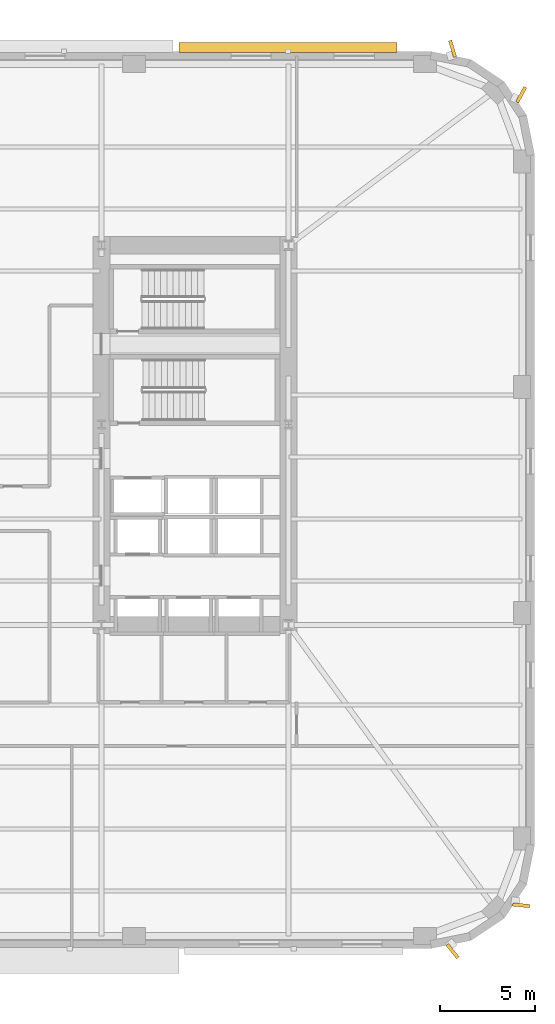
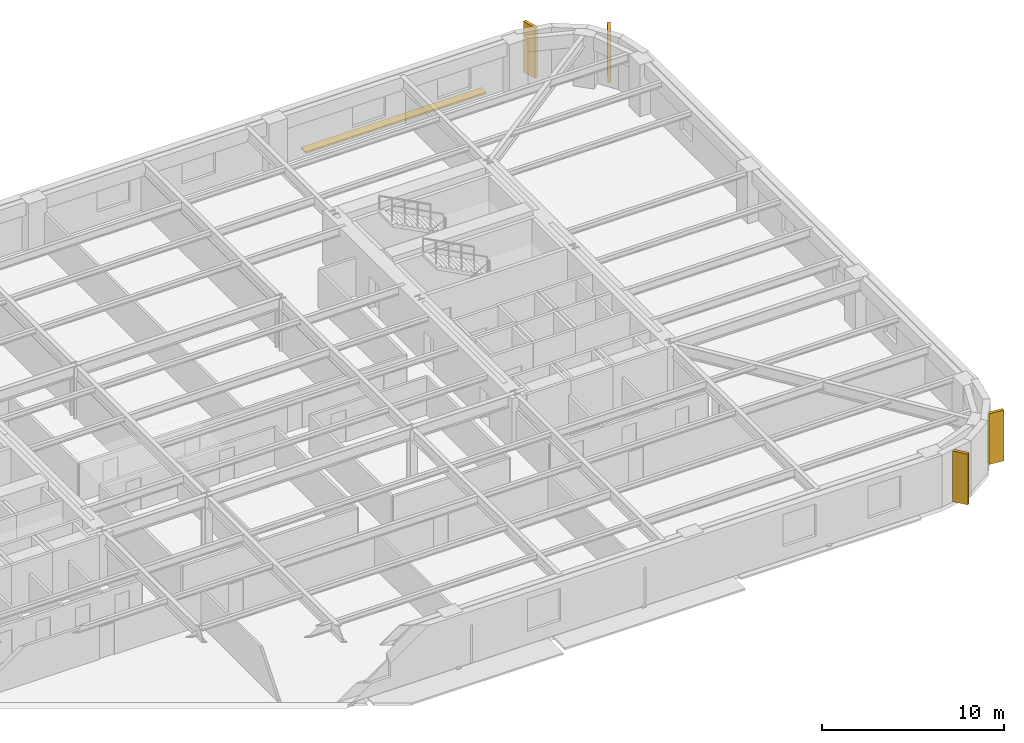
# One storey, part 15 of 15: 5 shading devices.
"""IFC4 building model written with IfcOpenShell, lengths in metres."""

from ifc_helpers import new_model, si_unit, direction, frame, origin, origin_2d, place, context, subcontext, project, spatial, rectangle, extrude, material, type_object, element, save


model = new_model("IFC4")

# Units and contexts
model_context = context("Model", 3, precision=1e-05, world=origin(), true_north=direction((0.0, 1.0)))
body_context = subcontext(model_context, "Body", "Model", "MODEL_VIEW")
ifc_project = project(units=[si_unit("LENGTHUNIT", "METRE"), si_unit("AREAUNIT", "SQUARE_METRE"), si_unit("VOLUMEUNIT", "CUBIC_METRE"), si_unit("PLANEANGLEUNIT", "RADIAN"), si_unit("MASSUNIT", "GRAM", prefix="KILO")], contexts=[model_context])

# Site, building, storey
site_placement = place(None, origin())
site = spatial("IfcSite", under=ifc_project, at=site_placement, CompositionType="ELEMENT")
building_placement = place(site_placement, origin())
building = spatial("IfcBuilding", under=site, at=building_placement, Name="Kolvaren Arena Tower", CompositionType="ELEMENT")
storey_placement = place(building_placement, frame((0.0, 0.0, 83.25)))
storey = spatial("IfcBuildingStorey", under=building, at=storey_placement, Name="L18", CompositionType="ELEMENT", Elevation=83.25)

# Shading devices
ifc_material_1 = material(Name="Precast architectural concrete C50/60 rib fin", Category="concrete")
shading_device_type_1 = type_object("IfcShadingDeviceType", Name="SHAD-FIN-28", PredefinedType="USERDEFINED", material=ifc_material_1)
for number, where, z_axis, x_axis, name in (
    (1, (68.95361328125, 2.3525390625, 0.02001953125), (0.0, 0.0, 1.0), (0.632722898811, -0.774378288254, 0.0), "Precast 28-Deg Corner Rib Fin (L18)"),
    (2, (72.552978515625, 4.757568359375, 0.02001953125), (0.0, 0.0, 1.0), (0.994971840066, -0.100155067151, 0.0), "Precast 28-Deg Corner Rib Fin (L18)"),
    (3, (72.552978515625, 47.242431640625, 0.02001953125), (0.0, 0.0, 1.0), (0.473348878368, 0.880875041846, 0.0), "Precast 28-Deg Corner Rib Fin (L18)"),
    (4, (68.95361328125, 49.6474609375, 0.02001953125), (0.0, 0.0, 1.0), (-0.288174541455, 0.957577899524, 0.0), "Precast 28-Deg Corner Rib Fin (L18)"),
):
    element("IfcShadingDevice", number, at=place(storey_placement, frame(where, z_axis=z_axis, x_axis=x_axis)), inside=storey, type_object=shading_device_type_1, Name=name, ObjectType="FIN", PredefinedType="USERDEFINED", context=body_context, shape_type="SweptSolid", body=[
        extrude(rectangle(XDim=0.89990234375, YDim=0.179931640625, at=origin_2d()), origin(), (0.0, 0.0, 1.0), 3.39990234375),
    ])
ifc_material_2 = material(Name="Architectural precast GFRC and anodised aluminium sunshade", Category="concrete")
shading_device_type_2 = type_object("IfcShadingDeviceType", Name="SHAD-SINE-A", PredefinedType="USERDEFINED", material=ifc_material_2)
shading_device_placement = place(storey_placement, frame((60.330078125, 49.713623046875, -0.14013671875), z_axis=(0.0, 0.0, 1.0), x_axis=(1.0, 0.0, 0.0)))
element("IfcShadingDevice", 5, at=shading_device_placement, inside=storey, type_object=shading_device_type_2, Name="Sinusoidal Slab-Edge Sunshade Louvre (L18)", ObjectType="LOUVRE", PredefinedType="USERDEFINED", context=body_context, shape_type="SweptSolid", body=[
    extrude(rectangle(XDim=11.43994140625, YDim=0.52734375, at=origin_2d()), origin(), (0.0, 0.0, 1.0), 0.1201171875),
])

save(model, "model.ifc")
